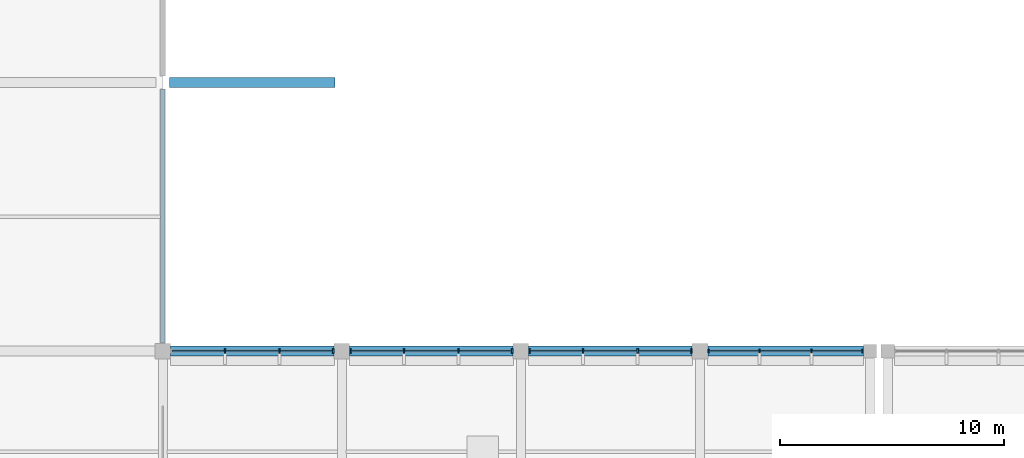
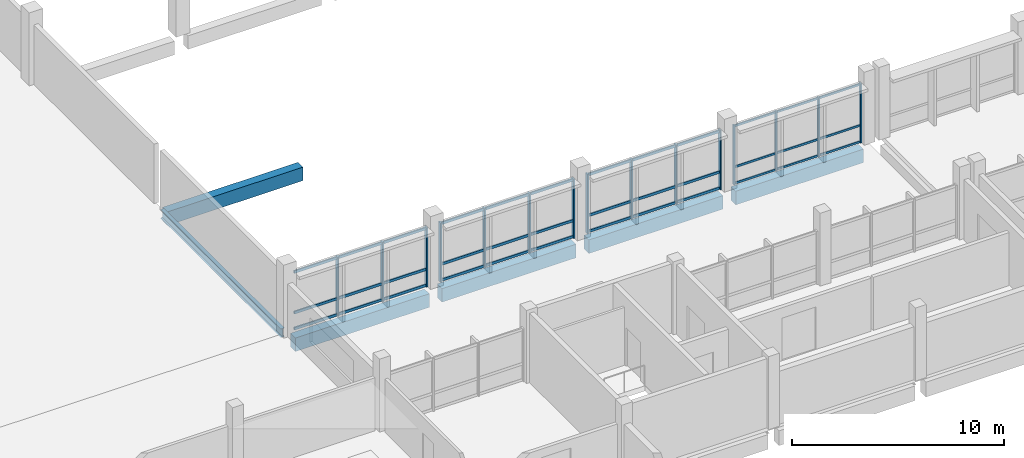
# One storey, part 9 of 70: 51 members, 6 beams, 4 elements without a shape of their own.
"""IFC4 building model written with IfcOpenShell, lengths in metres."""

from ifc_helpers import new_model, si_unit, direction, frame, origin, origin_2d, place, context, subcontext, project, spatial, rectangle, i_section, extrude, material, material_profile, profile_set, type_object, element, aggregate, save


model = new_model("IFC4")

# Units and contexts
model_context = context("Model", 3, precision=1e-05, world=origin(), true_north=direction((0.0, 1.0)))
body_context = subcontext(model_context, "Body", "Model", "MODEL_VIEW")
ifc_project = project(units=[si_unit("LENGTHUNIT", "METRE"), si_unit("AREAUNIT", "SQUARE_METRE"), si_unit("VOLUMEUNIT", "CUBIC_METRE"), si_unit("PLANEANGLEUNIT", "RADIAN"), si_unit("MASSUNIT", "GRAM", prefix="KILO"), si_unit("THERMODYNAMICTEMPERATUREUNIT", "KELVIN"), si_unit("POWERUNIT", "WATT")], contexts=[model_context])

# Site, building, storey
site_placement = place(None, origin())
site = spatial("IfcSite", under=ifc_project, at=site_placement, CompositionType="ELEMENT")
building_placement = place(site_placement, origin())
building = spatial("IfcBuilding", under=site, at=building_placement, Name="Kronsvod Quay Wholesale Market", CompositionType="ELEMENT")
storey_placement = place(building_placement, frame((0.0, 0.0, 9.0)))
storey = spatial("IfcBuildingStorey", under=building, at=storey_placement, Name="L02", CompositionType="ELEMENT", Elevation=9.0)

# Beams
ifc_material_1 = material(Name="Precast concrete C40/50", Category="concrete")
ifc_material_profile_1 = material_profile(ifc_material_1, rectangle(XDim=0.4599609375, YDim=0.780029296875, at=origin_2d()), Name="PB-03")
ifc_profile_set_1 = profile_set([ifc_material_profile_1], Name="Precast concrete C40/50")
beam_type_1 = type_object("IfcBeamType", Name="Beam_PCB460x780", PredefinedType="BEAM", material=ifc_profile_set_1)
for number, where, z_axis, x_axis, name in (
    (1, (32.35009765625, 54.0, -0.699951171875), (1.0, 0.0, 0.0), (0.0, 1.0, 0.0), "BMX-L02-320-540"),
    (2, (40.35009765625, 54.0, -0.64990234375), (1.0, 0.0, 0.0), (0.0, 1.0, 0.0), "BMX-L02-400-540"),
    (3, (48.35009765625, 54.0, -0.64990234375), (1.0, 0.0, 0.0), (0.0, 1.0, 0.0), "BMX-L02-480-540"),
):
    element("IfcBeam", number, at=place(storey_placement, frame(where, z_axis=z_axis, x_axis=x_axis)), inside=storey, type_object=beam_type_1, Name=name, PredefinedType="BEAM", context=body_context, shape_type="SweptSolid", body=[
        extrude(rectangle(XDim=0.4599609375, YDim=0.780029296875, at=origin_2d()), origin(), (0.0, 0.0, 1.0), 7.2998046875),
    ])
beam_1_placement = place(storey_placement, frame((56.35009765625, 54.0, -0.64990234375), z_axis=(1.0, 0.0, 0.0), x_axis=(0.0, 1.0, 0.0)))
element("IfcBeam", 4, at=beam_1_placement, inside=storey, type_object=beam_type_1, Name="BMX-L02-560-540", PredefinedType="BEAM", context=body_context, shape_type="SweptSolid", body=[
    extrude(rectangle(XDim=0.4599609375, YDim=0.780029296875, at=origin_2d()), origin(), (0.0, 0.0, 1.0), 6.949951171875),
])
beam_2_placement = place(storey_placement, frame((32.300048828125, 66.0, -0.699951171875), z_axis=(1.0, 0.0, 0.0), x_axis=(0.0, 1.0, 0.0)))
element("IfcBeam", 5, at=beam_2_placement, inside=storey, type_object=beam_type_1, Name="BMX-L02-320-660", PredefinedType="BEAM", context=body_context, shape_type="SweptSolid", body=[
    extrude(rectangle(XDim=0.4599609375, YDim=0.780029296875, at=origin_2d()), origin(), (0.0, 0.0, 1.0), 7.39990234375),
])
ifc_material_2 = material(Name="Steel S355", Category="steel")
ifc_material_profile_2 = material_profile(ifc_material_2, i_section(OverallWidth=0.198974609375, OverallDepth=0.49609375, WebThickness=0.009033203125, FlangeThickness=0.013916015625, FilletRadius=0.02001953125, at=origin_2d()), Name="50B1")
ifc_profile_set_2 = profile_set([ifc_material_profile_2], Name="Steel S355")
beam_type_2 = type_object("IfcBeamType", Name="Girder_Steel50B1", PredefinedType="T_BEAM", material=ifc_profile_set_2)
beam_3_placement = place(storey_placement, frame((32.0, 54.35009765625, -0.22802734375), z_axis=(0.0, 1.0, 0.0), x_axis=(-1.0, 0.0, 0.0)))
element("IfcBeam", 6, at=beam_3_placement, inside=storey, type_object=beam_type_2, Name="BMY-L02-320-540", PredefinedType="T_BEAM", context=body_context, shape_type="SweptSolid", body=[
    extrude(i_section(OverallWidth=0.198974609375, OverallDepth=0.49609375, WebThickness=0.009033203125, FlangeThickness=0.013916015625, FilletRadius=0.02001953125, at=origin_2d()), origin(), (0.0, 0.0, 1.0), 11.349853515625),
])

# Curtain wall, members
ifc_material_3 = material(Name="Thermally broken aluminium and triple low-E glazing", Category="aluminium")
curtain_wall_type = type_object("IfcCurtainWallType", Name="CW_Clerestory80x32", PredefinedType="NOTDEFINED", material=ifc_material_3)
curtain_wall_1_placement = place(storey_placement, origin())
curtain_wall_1 = element("IfcCurtainWall", 7, at=curtain_wall_1_placement, inside=storey, type_object=curtain_wall_type, Name="CWGX-L02-560-540", PredefinedType="NOTDEFINED")
ifc_material_4 = material(Name="Anodised aluminium", Category="aluminium")
ifc_material_profile_3 = material_profile(ifc_material_4, rectangle(XDim=0.06494140625, YDim=0.159912109375, at=origin_2d()), Name="ALUM65x160")
ifc_profile_set_3 = profile_set([ifc_material_profile_3], Name="Anodised aluminium")
member_type_1 = type_object("IfcMemberType", Name="Mullion_ALU65x160", PredefinedType="MULLION", material=ifc_profile_set_3)
member_1_placement = place(storey_placement, frame((56.37744140625, 54.0, 0.0), z_axis=(0.0, 0.0, 1.0), x_axis=(1.0, 0.0, 0.0)))
member_1 = element("IfcMember", 8, at=member_1_placement, type_object=member_type_1, Name="CWGX-L02-560-540-M1", PredefinedType="MULLION", context=body_context, shape_type="SweptSolid", body=[
    extrude(rectangle(XDim=0.06494140625, YDim=0.159912109375, at=origin_2d()), origin(), (0.0, 0.0, 1.0), 3.419921875),
])
member_2_placement = place(storey_placement, frame((58.6650390625, 54.0, 0.0), z_axis=(0.0, 0.0, 1.0), x_axis=(1.0, 0.0, 0.0)))
member_2 = element("IfcMember", 9, at=member_2_placement, type_object=member_type_1, Name="CWGX-L02-560-540-M2", PredefinedType="MULLION", context=body_context, shape_type="SweptSolid", body=[
    extrude(rectangle(XDim=0.06494140625, YDim=0.159912109375, at=origin_2d()), origin(), (0.0, 0.0, 1.0), 3.419921875),
])
member_3_placement = place(storey_placement, frame((60.985107421875, 54.0, 0.0), z_axis=(0.0, 0.0, 1.0), x_axis=(1.0, 0.0, 0.0)))
member_3 = element("IfcMember", 10, at=member_3_placement, type_object=member_type_1, Name="CWGX-L02-560-540-M3", PredefinedType="MULLION", context=body_context, shape_type="SweptSolid", body=[
    extrude(rectangle(XDim=0.06494140625, YDim=0.159912109375, at=origin_2d()), origin(), (0.0, 0.0, 1.0), 3.419921875),
])
member_4_placement = place(storey_placement, frame((63.2724609375, 54.0, 0.0), z_axis=(0.0, 0.0, 1.0), x_axis=(1.0, 0.0, 0.0)))
member_4 = element("IfcMember", 11, at=member_4_placement, type_object=member_type_1, Name="CWGX-L02-560-540-M4", PredefinedType="MULLION", context=body_context, shape_type="SweptSolid", body=[
    extrude(rectangle(XDim=0.06494140625, YDim=0.159912109375, at=origin_2d()), origin(), (0.0, 0.0, 1.0), 3.419921875),
])

curtain_wall_2_placement = place(storey_placement, origin())
curtain_wall_2 = element("IfcCurtainWall", 12, at=curtain_wall_2_placement, inside=storey, type_object=curtain_wall_type, Name="CWGX-L02-320-540", PredefinedType="NOTDEFINED")
ifc_material_5 = material(Name="Anodised aluminium", Category="aluminium")
ifc_material_profile_4 = material_profile(ifc_material_5, rectangle(XDim=0.074951171875, YDim=0.199951171875, at=origin_2d()), Name="ALUM75x200")
ifc_profile_set_4 = profile_set([ifc_material_profile_4], Name="Anodised aluminium")
member_type_2 = type_object("IfcMemberType", Name="Mullion_ALU75x200", PredefinedType="MULLION", material=ifc_profile_set_4)
member_5_placement = place(storey_placement, frame((34.78173828125, 54.0, 0.0), z_axis=(0.0, 0.0, 1.0), x_axis=(1.0, 0.0, 0.0)))
member_5 = element("IfcMember", 13, at=member_5_placement, type_object=member_type_2, Name="CWGX-L02-320-540-M2", PredefinedType="MULLION", context=body_context, shape_type="SweptSolid", body=[
    extrude(rectangle(XDim=0.074951171875, YDim=0.199951171875, at=origin_2d()), origin(), (0.0, 0.0, 1.0), 3.419921875),
])
member_6_placement = place(storey_placement, frame((37.21826171875, 54.0, 0.0), z_axis=(0.0, 0.0, 1.0), x_axis=(1.0, 0.0, 0.0)))
member_6 = element("IfcMember", 14, at=member_6_placement, type_object=member_type_2, Name="CWGX-L02-320-540-M3", PredefinedType="MULLION", context=body_context, shape_type="SweptSolid", body=[
    extrude(rectangle(XDim=0.074951171875, YDim=0.199951171875, at=origin_2d()), origin(), (0.0, 0.0, 1.0), 3.419921875),
])
member_7_placement = place(storey_placement, frame((39.617431640625, 54.0, 0.0), z_axis=(0.0, 0.0, 1.0), x_axis=(1.0, 0.0, 0.0)))
member_7 = element("IfcMember", 15, at=member_7_placement, type_object=member_type_2, Name="CWGX-L02-320-540-M4", PredefinedType="MULLION", context=body_context, shape_type="SweptSolid", body=[
    extrude(rectangle(XDim=0.074951171875, YDim=0.199951171875, at=origin_2d()), origin(), (0.0, 0.0, 1.0), 3.419921875),
])

curtain_wall_3_placement = place(storey_placement, origin())
curtain_wall_3 = element("IfcCurtainWall", 16, at=curtain_wall_3_placement, inside=storey, type_object=curtain_wall_type, Name="CWGX-L02-400-540", PredefinedType="NOTDEFINED")
member_8_placement = place(storey_placement, frame((40.382568359375, 54.0, 0.0), z_axis=(0.0, 0.0, 1.0), x_axis=(1.0, 0.0, 0.0)))
member_8 = element("IfcMember", 17, at=member_8_placement, type_object=member_type_2, Name="CWGX-L02-400-540-M1", PredefinedType="MULLION", context=body_context, shape_type="SweptSolid", body=[
    extrude(rectangle(XDim=0.074951171875, YDim=0.199951171875, at=origin_2d()), origin(), (0.0, 0.0, 1.0), 3.419921875),
])
member_9_placement = place(storey_placement, frame((42.78173828125, 54.0, 0.0), z_axis=(0.0, 0.0, 1.0), x_axis=(1.0, 0.0, 0.0)))
member_9 = element("IfcMember", 18, at=member_9_placement, type_object=member_type_2, Name="CWGX-L02-400-540-M2", PredefinedType="MULLION", context=body_context, shape_type="SweptSolid", body=[
    extrude(rectangle(XDim=0.074951171875, YDim=0.199951171875, at=origin_2d()), origin(), (0.0, 0.0, 1.0), 3.419921875),
])
member_10_placement = place(storey_placement, frame((45.21826171875, 54.0, 0.0), z_axis=(0.0, 0.0, 1.0), x_axis=(1.0, 0.0, 0.0)))
member_10 = element("IfcMember", 19, at=member_10_placement, type_object=member_type_2, Name="CWGX-L02-400-540-M3", PredefinedType="MULLION", context=body_context, shape_type="SweptSolid", body=[
    extrude(rectangle(XDim=0.074951171875, YDim=0.199951171875, at=origin_2d()), origin(), (0.0, 0.0, 1.0), 3.419921875),
])
member_11_placement = place(storey_placement, frame((47.617431640625, 54.0, 0.0), z_axis=(0.0, 0.0, 1.0), x_axis=(1.0, 0.0, 0.0)))
member_11 = element("IfcMember", 20, at=member_11_placement, type_object=member_type_2, Name="CWGX-L02-400-540-M4", PredefinedType="MULLION", context=body_context, shape_type="SweptSolid", body=[
    extrude(rectangle(XDim=0.074951171875, YDim=0.199951171875, at=origin_2d()), origin(), (0.0, 0.0, 1.0), 3.419921875),
])

curtain_wall_4_placement = place(storey_placement, origin())
curtain_wall_4 = element("IfcCurtainWall", 21, at=curtain_wall_4_placement, inside=storey, type_object=curtain_wall_type, Name="CWGX-L02-480-540", PredefinedType="NOTDEFINED")
member_12_placement = place(storey_placement, frame((48.382568359375, 54.0, 0.0), z_axis=(0.0, 0.0, 1.0), x_axis=(1.0, 0.0, 0.0)))
member_12 = element("IfcMember", 22, at=member_12_placement, type_object=member_type_2, Name="CWGX-L02-480-540-M1", PredefinedType="MULLION", context=body_context, shape_type="SweptSolid", body=[
    extrude(rectangle(XDim=0.074951171875, YDim=0.199951171875, at=origin_2d()), origin(), (0.0, 0.0, 1.0), 3.419921875),
])
member_13_placement = place(storey_placement, frame((50.78173828125, 54.0, 0.0), z_axis=(0.0, 0.0, 1.0), x_axis=(1.0, 0.0, 0.0)))
member_13 = element("IfcMember", 23, at=member_13_placement, type_object=member_type_2, Name="CWGX-L02-480-540-M2", PredefinedType="MULLION", context=body_context, shape_type="SweptSolid", body=[
    extrude(rectangle(XDim=0.074951171875, YDim=0.199951171875, at=origin_2d()), origin(), (0.0, 0.0, 1.0), 3.419921875),
])
member_14_placement = place(storey_placement, frame((53.21826171875, 54.0, 0.0), z_axis=(0.0, 0.0, 1.0), x_axis=(1.0, 0.0, 0.0)))
member_14 = element("IfcMember", 24, at=member_14_placement, type_object=member_type_2, Name="CWGX-L02-480-540-M3", PredefinedType="MULLION", context=body_context, shape_type="SweptSolid", body=[
    extrude(rectangle(XDim=0.074951171875, YDim=0.199951171875, at=origin_2d()), origin(), (0.0, 0.0, 1.0), 3.419921875),
])
member_15_placement = place(storey_placement, frame((55.617431640625, 54.0, 0.0), z_axis=(0.0, 0.0, 1.0), x_axis=(1.0, 0.0, 0.0)))
member_15 = element("IfcMember", 25, at=member_15_placement, type_object=member_type_2, Name="CWGX-L02-480-540-M4", PredefinedType="MULLION", context=body_context, shape_type="SweptSolid", body=[
    extrude(rectangle(XDim=0.074951171875, YDim=0.199951171875, at=origin_2d()), origin(), (0.0, 0.0, 1.0), 3.419921875),
])

# Member
ifc_material_6 = material(Name="Anodised aluminium", Category="aluminium")
ifc_material_profile_5 = material_profile(ifc_material_6, rectangle(XDim=0.06494140625, YDim=0.1201171875, at=origin_2d()), Name="ALUT65x120")
ifc_profile_set_5 = profile_set([ifc_material_profile_5], Name="Anodised aluminium")
member_type_3 = type_object("IfcMemberType", Name="Transom_ALU65x120", PredefinedType="USERDEFINED", material=ifc_profile_set_5)
member_16_placement = place(storey_placement, frame((56.409912109375, 54.0, 0.06005859375), z_axis=(1.0, 0.0, 0.0), x_axis=(0.0, 1.0, 0.0)))
member_16 = element("IfcMember", 26, at=member_16_placement, type_object=member_type_3, Name="CWGX-L02-560-540-T1B1", ObjectType="TRANSOM", PredefinedType="USERDEFINED", context=body_context, shape_type="SweptSolid", body=[
    extrude(rectangle(XDim=0.06494140625, YDim=0.1201171875, at=origin_2d()), origin(), (0.0, 0.0, 1.0), 2.22265625),
])

member_17_placement = place(storey_placement, frame((58.697509765625, 54.0, 0.06005859375), z_axis=(1.0, 0.0, 0.0), x_axis=(0.0, 1.0, 0.0)))
member_17 = element("IfcMember", 27, at=member_17_placement, type_object=member_type_3, Name="CWGX-L02-560-540-T1B2", ObjectType="TRANSOM", PredefinedType="USERDEFINED", context=body_context, shape_type="SweptSolid", body=[
    extrude(rectangle(XDim=0.06494140625, YDim=0.1201171875, at=origin_2d()), origin(), (0.0, 0.0, 1.0), 2.2548828125),
])

member_18_placement = place(storey_placement, frame((61.017578125, 54.0, 0.06005859375), z_axis=(1.0, 0.0, 0.0), x_axis=(0.0, 1.0, 0.0)))
member_18 = element("IfcMember", 28, at=member_18_placement, type_object=member_type_3, Name="CWGX-L02-560-540-T1B3", ObjectType="TRANSOM", PredefinedType="USERDEFINED", context=body_context, shape_type="SweptSolid", body=[
    extrude(rectangle(XDim=0.06494140625, YDim=0.1201171875, at=origin_2d()), origin(), (0.0, 0.0, 1.0), 2.222412109375),
])

member_19_placement = place(storey_placement, frame((56.409912109375, 54.0, 1.0), z_axis=(1.0, 0.0, 0.0), x_axis=(0.0, 1.0, 0.0)))
member_19 = element("IfcMember", 29, at=member_19_placement, type_object=member_type_3, Name="CWGX-L02-560-540-T2B1", ObjectType="TRANSOM", PredefinedType="USERDEFINED", context=body_context, shape_type="SweptSolid", body=[
    extrude(rectangle(XDim=0.06494140625, YDim=0.1201171875, at=origin_2d()), origin(), (0.0, 0.0, 1.0), 2.22265625),
])

member_20_placement = place(storey_placement, frame((58.697509765625, 54.0, 1.0), z_axis=(1.0, 0.0, 0.0), x_axis=(0.0, 1.0, 0.0)))
member_20 = element("IfcMember", 30, at=member_20_placement, type_object=member_type_3, Name="CWGX-L02-560-540-T2B2", ObjectType="TRANSOM", PredefinedType="USERDEFINED", context=body_context, shape_type="SweptSolid", body=[
    extrude(rectangle(XDim=0.06494140625, YDim=0.1201171875, at=origin_2d()), origin(), (0.0, 0.0, 1.0), 2.2548828125),
])

member_21_placement = place(storey_placement, frame((61.017578125, 54.0, 1.0), z_axis=(1.0, 0.0, 0.0), x_axis=(0.0, 1.0, 0.0)))
member_21 = element("IfcMember", 31, at=member_21_placement, type_object=member_type_3, Name="CWGX-L02-560-540-T2B3", ObjectType="TRANSOM", PredefinedType="USERDEFINED", context=body_context, shape_type="SweptSolid", body=[
    extrude(rectangle(XDim=0.06494140625, YDim=0.1201171875, at=origin_2d()), origin(), (0.0, 0.0, 1.0), 2.222412109375),
])

member_22_placement = place(storey_placement, frame((56.409912109375, 54.0, 3.360107421875), z_axis=(1.0, 0.0, 0.0), x_axis=(0.0, 1.0, 0.0)))
member_22 = element("IfcMember", 32, at=member_22_placement, type_object=member_type_3, Name="CWGX-L02-560-540-T3B1", ObjectType="TRANSOM", PredefinedType="USERDEFINED", context=body_context, shape_type="SweptSolid", body=[
    extrude(rectangle(XDim=0.06494140625, YDim=0.1201171875, at=origin_2d()), origin(), (0.0, 0.0, 1.0), 2.22265625),
])

member_23_placement = place(storey_placement, frame((58.697509765625, 54.0, 3.360107421875), z_axis=(1.0, 0.0, 0.0), x_axis=(0.0, 1.0, 0.0)))
member_23 = element("IfcMember", 33, at=member_23_placement, type_object=member_type_3, Name="CWGX-L02-560-540-T3B2", ObjectType="TRANSOM", PredefinedType="USERDEFINED", context=body_context, shape_type="SweptSolid", body=[
    extrude(rectangle(XDim=0.06494140625, YDim=0.1201171875, at=origin_2d()), origin(), (0.0, 0.0, 1.0), 2.2548828125),
])

member_24_placement = place(storey_placement, frame((61.017578125, 54.0, 3.360107421875), z_axis=(1.0, 0.0, 0.0), x_axis=(0.0, 1.0, 0.0)))
member_24 = element("IfcMember", 34, at=member_24_placement, type_object=member_type_3, Name="CWGX-L02-560-540-T3B3", ObjectType="TRANSOM", PredefinedType="USERDEFINED", context=body_context, shape_type="SweptSolid", body=[
    extrude(rectangle(XDim=0.06494140625, YDim=0.1201171875, at=origin_2d()), origin(), (0.0, 0.0, 1.0), 2.222412109375),
])

aggregate(curtain_wall_1, [member_1, member_2, member_3, member_4, member_16, member_17, member_18, member_19, member_20, member_21, member_22, member_23, member_24])

ifc_material_7 = material(Name="Anodised aluminium", Category="aluminium")
ifc_material_profile_6 = material_profile(ifc_material_7, rectangle(XDim=0.074951171875, YDim=0.14990234375, at=origin_2d()), Name="ALUT75x150")
ifc_profile_set_6 = profile_set([ifc_material_profile_6], Name="Anodised aluminium")
member_type_4 = type_object("IfcMemberType", Name="Transom_ALU75x150", PredefinedType="USERDEFINED", material=ifc_profile_set_6)
member_25_placement = place(storey_placement, frame((32.419921875, 54.0, 0.074951171875), z_axis=(1.0, 0.0, 0.0), x_axis=(0.0, 1.0, 0.0)))
member_25 = element("IfcMember", 35, at=member_25_placement, type_object=member_type_4, Name="CWGX-L02-320-540-T1B1", ObjectType="TRANSOM", PredefinedType="USERDEFINED", context=body_context, shape_type="SweptSolid", body=[
    extrude(rectangle(XDim=0.074951171875, YDim=0.14990234375, at=origin_2d()), origin(), (0.0, 0.0, 1.0), 2.32421875),
])

member_26_placement = place(storey_placement, frame((34.819091796875, 54.0, 0.074951171875), z_axis=(1.0, 0.0, 0.0), x_axis=(0.0, 1.0, 0.0)))
member_26 = element("IfcMember", 36, at=member_26_placement, type_object=member_type_4, Name="CWGX-L02-320-540-T1B2", ObjectType="TRANSOM", PredefinedType="USERDEFINED", context=body_context, shape_type="SweptSolid", body=[
    extrude(rectangle(XDim=0.074951171875, YDim=0.14990234375, at=origin_2d()), origin(), (0.0, 0.0, 1.0), 2.36181640625),
])

member_27_placement = place(storey_placement, frame((37.255859375, 54.0, 0.074951171875), z_axis=(1.0, 0.0, 0.0), x_axis=(0.0, 1.0, 0.0)))
member_27 = element("IfcMember", 37, at=member_27_placement, type_object=member_type_4, Name="CWGX-L02-320-540-T1B3", ObjectType="TRANSOM", PredefinedType="USERDEFINED", context=body_context, shape_type="SweptSolid", body=[
    extrude(rectangle(XDim=0.074951171875, YDim=0.14990234375, at=origin_2d()), origin(), (0.0, 0.0, 1.0), 2.32421875),
])

member_28_placement = place(storey_placement, frame((32.419921875, 54.0, 1.0), z_axis=(1.0, 0.0, 0.0), x_axis=(0.0, 1.0, 0.0)))
member_28 = element("IfcMember", 38, at=member_28_placement, type_object=member_type_4, Name="CWGX-L02-320-540-T2B1", ObjectType="TRANSOM", PredefinedType="USERDEFINED", context=body_context, shape_type="SweptSolid", body=[
    extrude(rectangle(XDim=0.074951171875, YDim=0.14990234375, at=origin_2d()), origin(), (0.0, 0.0, 1.0), 2.32421875),
])

member_29_placement = place(storey_placement, frame((34.819091796875, 54.0, 1.0), z_axis=(1.0, 0.0, 0.0), x_axis=(0.0, 1.0, 0.0)))
member_29 = element("IfcMember", 39, at=member_29_placement, type_object=member_type_4, Name="CWGX-L02-320-540-T2B2", ObjectType="TRANSOM", PredefinedType="USERDEFINED", context=body_context, shape_type="SweptSolid", body=[
    extrude(rectangle(XDim=0.074951171875, YDim=0.14990234375, at=origin_2d()), origin(), (0.0, 0.0, 1.0), 2.36181640625),
])

member_30_placement = place(storey_placement, frame((37.255859375, 54.0, 1.0), z_axis=(1.0, 0.0, 0.0), x_axis=(0.0, 1.0, 0.0)))
member_30 = element("IfcMember", 40, at=member_30_placement, type_object=member_type_4, Name="CWGX-L02-320-540-T2B3", ObjectType="TRANSOM", PredefinedType="USERDEFINED", context=body_context, shape_type="SweptSolid", body=[
    extrude(rectangle(XDim=0.074951171875, YDim=0.14990234375, at=origin_2d()), origin(), (0.0, 0.0, 1.0), 2.32421875),
])

member_31_placement = place(storey_placement, frame((32.419921875, 54.0, 3.344970703125), z_axis=(1.0, 0.0, 0.0), x_axis=(0.0, 1.0, 0.0)))
member_31 = element("IfcMember", 41, at=member_31_placement, type_object=member_type_4, Name="CWGX-L02-320-540-T3B1", ObjectType="TRANSOM", PredefinedType="USERDEFINED", context=body_context, shape_type="SweptSolid", body=[
    extrude(rectangle(XDim=0.074951171875, YDim=0.14990234375, at=origin_2d()), origin(), (0.0, 0.0, 1.0), 2.32421875),
])

member_32_placement = place(storey_placement, frame((34.819091796875, 54.0, 3.344970703125), z_axis=(1.0, 0.0, 0.0), x_axis=(0.0, 1.0, 0.0)))
member_32 = element("IfcMember", 42, at=member_32_placement, type_object=member_type_4, Name="CWGX-L02-320-540-T3B2", ObjectType="TRANSOM", PredefinedType="USERDEFINED", context=body_context, shape_type="SweptSolid", body=[
    extrude(rectangle(XDim=0.074951171875, YDim=0.14990234375, at=origin_2d()), origin(), (0.0, 0.0, 1.0), 2.36181640625),
])

member_33_placement = place(storey_placement, frame((37.255859375, 54.0, 3.344970703125), z_axis=(1.0, 0.0, 0.0), x_axis=(0.0, 1.0, 0.0)))
member_33 = element("IfcMember", 43, at=member_33_placement, type_object=member_type_4, Name="CWGX-L02-320-540-T3B3", ObjectType="TRANSOM", PredefinedType="USERDEFINED", context=body_context, shape_type="SweptSolid", body=[
    extrude(rectangle(XDim=0.074951171875, YDim=0.14990234375, at=origin_2d()), origin(), (0.0, 0.0, 1.0), 2.32421875),
])

aggregate(curtain_wall_2, [member_5, member_6, member_7, member_25, member_26, member_27, member_28, member_29, member_30, member_31, member_32, member_33])

member_34_placement = place(storey_placement, frame((40.419921875, 54.0, 0.074951171875), z_axis=(1.0, 0.0, 0.0), x_axis=(0.0, 1.0, 0.0)))
member_34 = element("IfcMember", 44, at=member_34_placement, type_object=member_type_4, Name="CWGX-L02-400-540-T1B1", ObjectType="TRANSOM", PredefinedType="USERDEFINED", context=body_context, shape_type="SweptSolid", body=[
    extrude(rectangle(XDim=0.074951171875, YDim=0.14990234375, at=origin_2d()), origin(), (0.0, 0.0, 1.0), 2.32421875),
])

member_35_placement = place(storey_placement, frame((42.819091796875, 54.0, 0.074951171875), z_axis=(1.0, 0.0, 0.0), x_axis=(0.0, 1.0, 0.0)))
member_35 = element("IfcMember", 45, at=member_35_placement, type_object=member_type_4, Name="CWGX-L02-400-540-T1B2", ObjectType="TRANSOM", PredefinedType="USERDEFINED", context=body_context, shape_type="SweptSolid", body=[
    extrude(rectangle(XDim=0.074951171875, YDim=0.14990234375, at=origin_2d()), origin(), (0.0, 0.0, 1.0), 2.36181640625),
])

member_36_placement = place(storey_placement, frame((45.255859375, 54.0, 0.074951171875), z_axis=(1.0, 0.0, 0.0), x_axis=(0.0, 1.0, 0.0)))
member_36 = element("IfcMember", 46, at=member_36_placement, type_object=member_type_4, Name="CWGX-L02-400-540-T1B3", ObjectType="TRANSOM", PredefinedType="USERDEFINED", context=body_context, shape_type="SweptSolid", body=[
    extrude(rectangle(XDim=0.074951171875, YDim=0.14990234375, at=origin_2d()), origin(), (0.0, 0.0, 1.0), 2.32421875),
])

member_37_placement = place(storey_placement, frame((40.419921875, 54.0, 1.0), z_axis=(1.0, 0.0, 0.0), x_axis=(0.0, 1.0, 0.0)))
member_37 = element("IfcMember", 47, at=member_37_placement, type_object=member_type_4, Name="CWGX-L02-400-540-T2B1", ObjectType="TRANSOM", PredefinedType="USERDEFINED", context=body_context, shape_type="SweptSolid", body=[
    extrude(rectangle(XDim=0.074951171875, YDim=0.14990234375, at=origin_2d()), origin(), (0.0, 0.0, 1.0), 2.32421875),
])

member_38_placement = place(storey_placement, frame((42.819091796875, 54.0, 1.0), z_axis=(1.0, 0.0, 0.0), x_axis=(0.0, 1.0, 0.0)))
member_38 = element("IfcMember", 48, at=member_38_placement, type_object=member_type_4, Name="CWGX-L02-400-540-T2B2", ObjectType="TRANSOM", PredefinedType="USERDEFINED", context=body_context, shape_type="SweptSolid", body=[
    extrude(rectangle(XDim=0.074951171875, YDim=0.14990234375, at=origin_2d()), origin(), (0.0, 0.0, 1.0), 2.36181640625),
])

member_39_placement = place(storey_placement, frame((45.255859375, 54.0, 1.0), z_axis=(1.0, 0.0, 0.0), x_axis=(0.0, 1.0, 0.0)))
member_39 = element("IfcMember", 49, at=member_39_placement, type_object=member_type_4, Name="CWGX-L02-400-540-T2B3", ObjectType="TRANSOM", PredefinedType="USERDEFINED", context=body_context, shape_type="SweptSolid", body=[
    extrude(rectangle(XDim=0.074951171875, YDim=0.14990234375, at=origin_2d()), origin(), (0.0, 0.0, 1.0), 2.32421875),
])

member_40_placement = place(storey_placement, frame((40.419921875, 54.0, 3.344970703125), z_axis=(1.0, 0.0, 0.0), x_axis=(0.0, 1.0, 0.0)))
member_40 = element("IfcMember", 50, at=member_40_placement, type_object=member_type_4, Name="CWGX-L02-400-540-T3B1", ObjectType="TRANSOM", PredefinedType="USERDEFINED", context=body_context, shape_type="SweptSolid", body=[
    extrude(rectangle(XDim=0.074951171875, YDim=0.14990234375, at=origin_2d()), origin(), (0.0, 0.0, 1.0), 2.32421875),
])

member_41_placement = place(storey_placement, frame((42.819091796875, 54.0, 3.344970703125), z_axis=(1.0, 0.0, 0.0), x_axis=(0.0, 1.0, 0.0)))
member_41 = element("IfcMember", 51, at=member_41_placement, type_object=member_type_4, Name="CWGX-L02-400-540-T3B2", ObjectType="TRANSOM", PredefinedType="USERDEFINED", context=body_context, shape_type="SweptSolid", body=[
    extrude(rectangle(XDim=0.074951171875, YDim=0.14990234375, at=origin_2d()), origin(), (0.0, 0.0, 1.0), 2.36181640625),
])

member_42_placement = place(storey_placement, frame((45.255859375, 54.0, 3.344970703125), z_axis=(1.0, 0.0, 0.0), x_axis=(0.0, 1.0, 0.0)))
member_42 = element("IfcMember", 52, at=member_42_placement, type_object=member_type_4, Name="CWGX-L02-400-540-T3B3", ObjectType="TRANSOM", PredefinedType="USERDEFINED", context=body_context, shape_type="SweptSolid", body=[
    extrude(rectangle(XDim=0.074951171875, YDim=0.14990234375, at=origin_2d()), origin(), (0.0, 0.0, 1.0), 2.32421875),
])

aggregate(curtain_wall_3, [member_8, member_9, member_10, member_11, member_34, member_35, member_36, member_37, member_38, member_39, member_40, member_41, member_42])

member_43_placement = place(storey_placement, frame((48.419921875, 54.0, 0.074951171875), z_axis=(1.0, 0.0, 0.0), x_axis=(0.0, 1.0, 0.0)))
member_43 = element("IfcMember", 53, at=member_43_placement, type_object=member_type_4, Name="CWGX-L02-480-540-T1B1", ObjectType="TRANSOM", PredefinedType="USERDEFINED", context=body_context, shape_type="SweptSolid", body=[
    extrude(rectangle(XDim=0.074951171875, YDim=0.14990234375, at=origin_2d()), origin(), (0.0, 0.0, 1.0), 2.32421875),
])

member_44_placement = place(storey_placement, frame((50.819091796875, 54.0, 0.074951171875), z_axis=(1.0, 0.0, 0.0), x_axis=(0.0, 1.0, 0.0)))
member_44 = element("IfcMember", 54, at=member_44_placement, type_object=member_type_4, Name="CWGX-L02-480-540-T1B2", ObjectType="TRANSOM", PredefinedType="USERDEFINED", context=body_context, shape_type="SweptSolid", body=[
    extrude(rectangle(XDim=0.074951171875, YDim=0.14990234375, at=origin_2d()), origin(), (0.0, 0.0, 1.0), 2.36181640625),
])

member_45_placement = place(storey_placement, frame((53.255859375, 54.0, 0.074951171875), z_axis=(1.0, 0.0, 0.0), x_axis=(0.0, 1.0, 0.0)))
member_45 = element("IfcMember", 55, at=member_45_placement, type_object=member_type_4, Name="CWGX-L02-480-540-T1B3", ObjectType="TRANSOM", PredefinedType="USERDEFINED", context=body_context, shape_type="SweptSolid", body=[
    extrude(rectangle(XDim=0.074951171875, YDim=0.14990234375, at=origin_2d()), origin(), (0.0, 0.0, 1.0), 2.32421875),
])

member_46_placement = place(storey_placement, frame((48.419921875, 54.0, 1.0), z_axis=(1.0, 0.0, 0.0), x_axis=(0.0, 1.0, 0.0)))
member_46 = element("IfcMember", 56, at=member_46_placement, type_object=member_type_4, Name="CWGX-L02-480-540-T2B1", ObjectType="TRANSOM", PredefinedType="USERDEFINED", context=body_context, shape_type="SweptSolid", body=[
    extrude(rectangle(XDim=0.074951171875, YDim=0.14990234375, at=origin_2d()), origin(), (0.0, 0.0, 1.0), 2.32421875),
])

member_47_placement = place(storey_placement, frame((50.819091796875, 54.0, 1.0), z_axis=(1.0, 0.0, 0.0), x_axis=(0.0, 1.0, 0.0)))
member_47 = element("IfcMember", 57, at=member_47_placement, type_object=member_type_4, Name="CWGX-L02-480-540-T2B2", ObjectType="TRANSOM", PredefinedType="USERDEFINED", context=body_context, shape_type="SweptSolid", body=[
    extrude(rectangle(XDim=0.074951171875, YDim=0.14990234375, at=origin_2d()), origin(), (0.0, 0.0, 1.0), 2.36181640625),
])

member_48_placement = place(storey_placement, frame((53.255859375, 54.0, 1.0), z_axis=(1.0, 0.0, 0.0), x_axis=(0.0, 1.0, 0.0)))
member_48 = element("IfcMember", 58, at=member_48_placement, type_object=member_type_4, Name="CWGX-L02-480-540-T2B3", ObjectType="TRANSOM", PredefinedType="USERDEFINED", context=body_context, shape_type="SweptSolid", body=[
    extrude(rectangle(XDim=0.074951171875, YDim=0.14990234375, at=origin_2d()), origin(), (0.0, 0.0, 1.0), 2.32421875),
])

member_49_placement = place(storey_placement, frame((48.419921875, 54.0, 3.344970703125), z_axis=(1.0, 0.0, 0.0), x_axis=(0.0, 1.0, 0.0)))
member_49 = element("IfcMember", 59, at=member_49_placement, type_object=member_type_4, Name="CWGX-L02-480-540-T3B1", ObjectType="TRANSOM", PredefinedType="USERDEFINED", context=body_context, shape_type="SweptSolid", body=[
    extrude(rectangle(XDim=0.074951171875, YDim=0.14990234375, at=origin_2d()), origin(), (0.0, 0.0, 1.0), 2.32421875),
])

member_50_placement = place(storey_placement, frame((50.819091796875, 54.0, 3.344970703125), z_axis=(1.0, 0.0, 0.0), x_axis=(0.0, 1.0, 0.0)))
member_50 = element("IfcMember", 60, at=member_50_placement, type_object=member_type_4, Name="CWGX-L02-480-540-T3B2", ObjectType="TRANSOM", PredefinedType="USERDEFINED", context=body_context, shape_type="SweptSolid", body=[
    extrude(rectangle(XDim=0.074951171875, YDim=0.14990234375, at=origin_2d()), origin(), (0.0, 0.0, 1.0), 2.36181640625),
])

member_51_placement = place(storey_placement, frame((53.255859375, 54.0, 3.344970703125), z_axis=(1.0, 0.0, 0.0), x_axis=(0.0, 1.0, 0.0)))
member_51 = element("IfcMember", 61, at=member_51_placement, type_object=member_type_4, Name="CWGX-L02-480-540-T3B3", ObjectType="TRANSOM", PredefinedType="USERDEFINED", context=body_context, shape_type="SweptSolid", body=[
    extrude(rectangle(XDim=0.074951171875, YDim=0.14990234375, at=origin_2d()), origin(), (0.0, 0.0, 1.0), 2.32421875),
])

aggregate(curtain_wall_4, [member_12, member_13, member_14, member_15, member_43, member_44, member_45, member_46, member_47, member_48, member_49, member_50, member_51])

save(model, "model.ifc")
